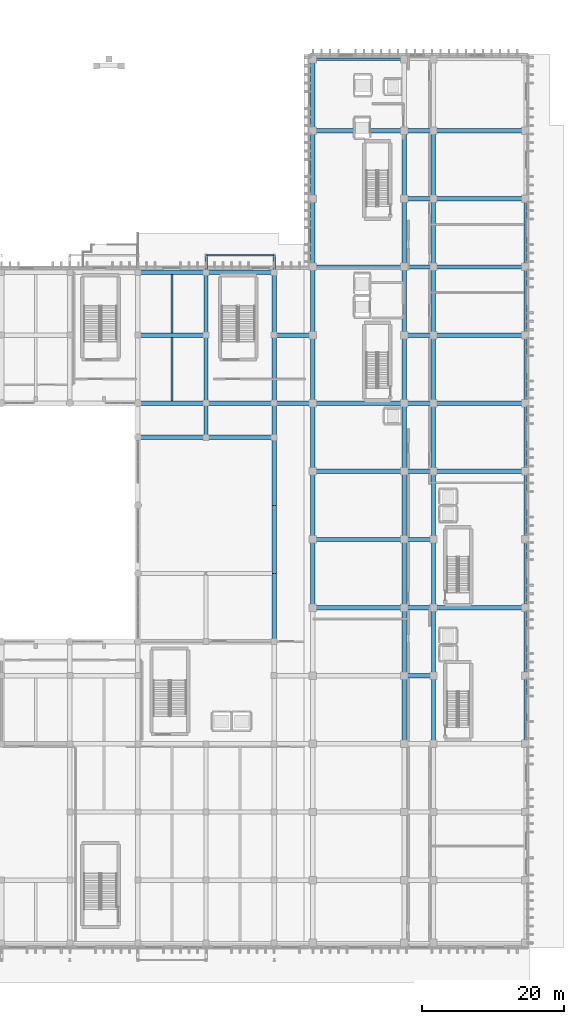
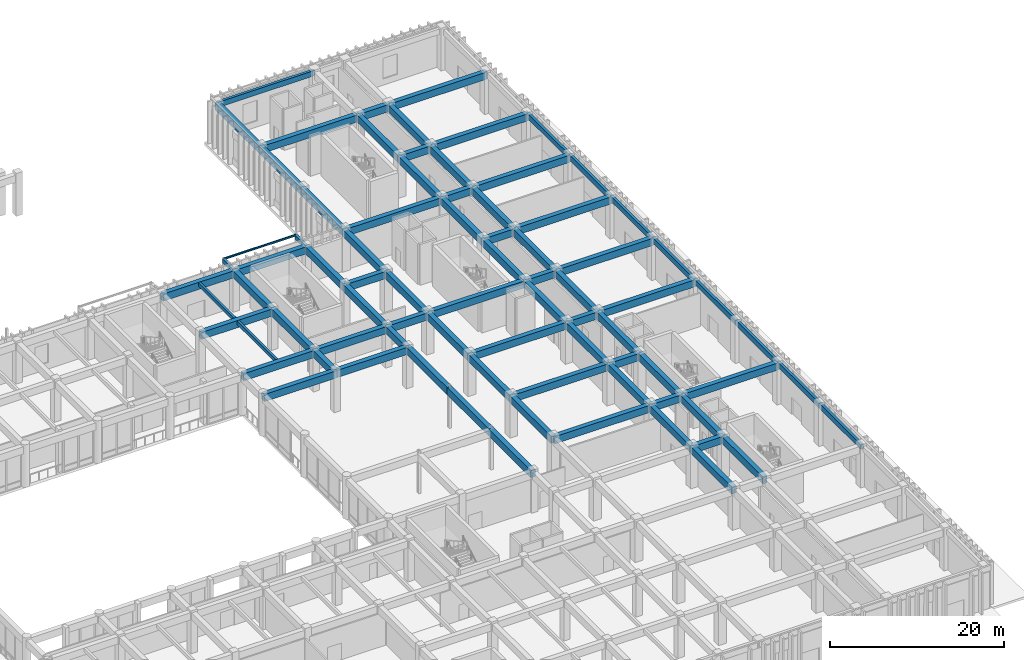
# One storey, part 36 of 87: 80 beams.
"""IFC4 building model written with IfcOpenShell, lengths in metres."""

from ifc_helpers import new_model, si_unit, direction, frame, origin, origin_2d, place, context, subcontext, project, spatial, rectangle, i_section, extrude, material, material_profile, profile_set, type_object, element, save


model = new_model("IFC4")

# Units and contexts
model_context = context("Model", 3, precision=1e-05, world=origin(), true_north=direction((0.0, 1.0)))
body_context = subcontext(model_context, "Body", "Model", "MODEL_VIEW")
ifc_project = project(units=[si_unit("LENGTHUNIT", "METRE"), si_unit("AREAUNIT", "SQUARE_METRE"), si_unit("VOLUMEUNIT", "CUBIC_METRE"), si_unit("PLANEANGLEUNIT", "RADIAN"), si_unit("MASSUNIT", "GRAM", prefix="KILO")], contexts=[model_context])

# Site, building, storey
site_placement = place(None, origin())
site = spatial("IfcSite", under=ifc_project, at=site_placement, CompositionType="ELEMENT")
building_placement = place(site_placement, origin())
building = spatial("IfcBuilding", under=site, at=building_placement, Name="Nakhvara Creek Congress Hotel", CompositionType="ELEMENT")
storey_placement = place(building_placement, origin())
storey = spatial("IfcBuildingStorey", under=building, at=storey_placement, Name="L00", CompositionType="ELEMENT", Elevation=0.0)

# Beams
ifc_material_1 = material(Name="Concrete C40/50", Category="concrete")
ifc_material_profile_1 = material_profile(ifc_material_1, rectangle(XDim=0.35009765625, YDim=0.550048828125, at=origin_2d()), Name="RC-BM 350x550", Category="LoadBearing")
ifc_profile_set_1 = profile_set([ifc_material_profile_1], Name="Concrete C40/50")
beam_type_1 = type_object("IfcBeamType", Name="BM-CANT-BOX", PredefinedType="BEAM", material=ifc_profile_set_1)
for number, where, z_axis, x_axis, name in (
    (1, (134.39990234375, 95.25, 5.425048828125), (0.0, 1.0, 0.0), (-1.0, 0.0, 0.0), "Foyer Box Outrigger Beam PBOX-L01-N3-134"),
    (2, (144.0, 95.25, 5.425048828125), (0.0, 1.0, 0.0), (-1.0, 0.0, 0.0), "Foyer Box Outrigger Beam PBOX-L01-N3-144"),
):
    element("IfcBeam", number, at=place(storey_placement, frame(where, z_axis=z_axis, x_axis=x_axis)), inside=storey, type_object=beam_type_1, Name=name, PredefinedType="BEAM", context=body_context, shape_type="SweptSolid", body=[
        extrude(rectangle(XDim=0.35009765625, YDim=0.550048828125, at=origin_2d()), origin(), (0.0, 0.0, 1.0), 2.39990234375),
    ])
ifc_material_profile_2 = material_profile(ifc_material_1, rectangle(XDim=0.300048828125, YDim=0.5, at=origin_2d()), Name="RC-BM 300x500", Category="LoadBearing")
ifc_profile_set_2 = profile_set([ifc_material_profile_2], Name="Concrete C40/50")
beam_type_2 = type_object("IfcBeamType", Name="BM-JST-300X500", PredefinedType="JOIST", material=ifc_profile_set_2)
beam_1_placement = place(storey_placement, frame((129.60009765625, 77.110107421875, 5.449951171875), z_axis=(0.0, 1.0, 0.0), x_axis=(-1.0, 0.0, 0.0)))
element("IfcBeam", 3, at=beam_1_placement, inside=storey, type_object=beam_type_2, Name="Secondary Joist BJ1-L00-1054", PredefinedType="JOIST", context=body_context, shape_type="SweptSolid", body=[
    extrude(rectangle(XDim=0.300048828125, YDim=0.5, at=origin_2d()), origin(), (0.0, 0.0, 1.0), 8.97998046875),
])
beam_2_placement = place(storey_placement, frame((129.60009765625, 86.7099609375, 5.449951171875), z_axis=(0.0, 1.0, 0.0), x_axis=(-1.0, 0.0, 0.0)))
element("IfcBeam", 4, at=beam_2_placement, inside=storey, type_object=beam_type_2, Name="Secondary Joist BJ1-L00-1055", PredefinedType="JOIST", context=body_context, shape_type="SweptSolid", body=[
    extrude(rectangle(XDim=0.300048828125, YDim=0.5, at=origin_2d()), origin(), (0.0, 0.0, 1.0), 8.22998046875),
])
ifc_material_2 = material(Name="Concrete C50/60", Category="concrete")
ifc_material_profile_3 = material_profile(ifc_material_2, rectangle(XDim=0.6201171875, YDim=1.0, at=origin_2d()), Name="RC-BM 620x1000", Category="LoadBearing")
ifc_profile_set_3 = profile_set([ifc_material_profile_3], Name="Concrete C50/60")
beam_type_3 = type_object("IfcBeamType", Name="BM-RC-620X1000", PredefinedType="BEAM", material=ifc_profile_set_3)
for number, where, z_axis, x_axis, name in (
    (5, (124.800048828125, 72.0, 5.199951171875), (1.0, 0.0, 0.0), (0.0, 1.0, 0.0), "Beam B16-L00-0897"),
    (6, (124.800048828125, 76.800048828125, 5.199951171875), (1.0, 0.0, 0.0), (0.0, 1.0, 0.0), "Beam B16-L00-0899"),
    (7, (124.800048828125, 86.39990234375, 5.199951171875), (1.0, 0.0, 0.0), (0.0, 1.0, 0.0), "Beam B16-L00-0901"),
    (8, (124.800048828125, 95.25, 5.199951171875), (1.0, 0.0, 0.0), (0.0, 1.0, 0.0), "Beam B16-L00-0902"),
):
    element("IfcBeam", number, at=place(storey_placement, frame(where, z_axis=z_axis, x_axis=x_axis)), inside=storey, type_object=beam_type_3, Name=name, PredefinedType="BEAM", context=body_context, shape_type="SweptSolid", body=[
        extrude(rectangle(XDim=0.6201171875, YDim=1.0, at=origin_2d()), origin(), (0.0, 0.0, 1.0), 9.599853515625),
    ])
beam_3_placement = place(storey_placement, frame((134.39990234375, 72.0, 5.199951171875), z_axis=(0.0, 1.0, 0.0), x_axis=(-1.0, 0.0, 0.0)))
element("IfcBeam", 9, at=beam_3_placement, inside=storey, type_object=beam_type_3, Name="Beam B16-L00-0913", PredefinedType="BEAM", context=body_context, shape_type="SweptSolid", body=[
    extrude(rectangle(XDim=0.6201171875, YDim=1.0, at=origin_2d()), origin(), (0.0, 0.0, 1.0), 4.800048828125),
])
beam_4_placement = place(storey_placement, frame((134.39990234375, 72.0, 5.199951171875), z_axis=(1.0, 0.0, 0.0), x_axis=(0.0, 1.0, 0.0)))
element("IfcBeam", 10, at=beam_4_placement, inside=storey, type_object=beam_type_3, Name="Beam B16-L00-0914", PredefinedType="BEAM", context=body_context, shape_type="SweptSolid", body=[
    extrude(rectangle(XDim=0.6201171875, YDim=1.0, at=origin_2d()), origin(), (0.0, 0.0, 1.0), 9.60009765625),
])
beam_5_placement = place(storey_placement, frame((134.39990234375, 76.800048828125, 5.199951171875), z_axis=(0.0, 1.0, 0.0), x_axis=(-1.0, 0.0, 0.0)))
element("IfcBeam", 11, at=beam_5_placement, inside=storey, type_object=beam_type_3, Name="Beam B16-L00-0915", PredefinedType="BEAM", context=body_context, shape_type="SweptSolid", body=[
    extrude(rectangle(XDim=0.6201171875, YDim=1.0, at=origin_2d()), origin(), (0.0, 0.0, 1.0), 9.599853515625),
])
beam_6_placement = place(storey_placement, frame((134.39990234375, 76.800048828125, 5.199951171875), z_axis=(1.0, 0.0, 0.0), x_axis=(0.0, 1.0, 0.0)))
element("IfcBeam", 12, at=beam_6_placement, inside=storey, type_object=beam_type_3, Name="Beam B16-L00-0916", PredefinedType="BEAM", context=body_context, shape_type="SweptSolid", body=[
    extrude(rectangle(XDim=0.6201171875, YDim=1.0, at=origin_2d()), origin(), (0.0, 0.0, 1.0), 9.60009765625),
])
beam_7_placement = place(storey_placement, frame((134.39990234375, 86.39990234375, 5.199951171875), z_axis=(0.0, 1.0, 0.0), x_axis=(-1.0, 0.0, 0.0)))
element("IfcBeam", 13, at=beam_7_placement, inside=storey, type_object=beam_type_3, Name="Beam B16-L00-0917", PredefinedType="BEAM", context=body_context, shape_type="SweptSolid", body=[
    extrude(rectangle(XDim=0.6201171875, YDim=1.0, at=origin_2d()), origin(), (0.0, 0.0, 1.0), 8.85009765625),
])
for number, where, z_axis, x_axis, name in (
    (14, (134.39990234375, 95.25, 5.199951171875), (1.0, 0.0, 0.0), (0.0, 1.0, 0.0), "Beam B16-L00-0918"),
    (15, (144.0, 43.199951171875, 5.199951171875), (0.0, 1.0, 0.0), (-1.0, 0.0, 0.0), "Beam B16-L00-0929"),
):
    element("IfcBeam", number, at=place(storey_placement, frame(where, z_axis=z_axis, x_axis=x_axis)), inside=storey, type_object=beam_type_3, Name=name, PredefinedType="BEAM", context=body_context, shape_type="SweptSolid", body=[
        extrude(rectangle(XDim=0.6201171875, YDim=1.0, at=origin_2d()), origin(), (0.0, 0.0, 1.0), 9.60009765625),
    ])
beam_8_placement = place(storey_placement, frame((144.0, 52.800048828125, 5.199951171875), z_axis=(0.0, 1.0, 0.0), x_axis=(-1.0, 0.0, 0.0)))
element("IfcBeam", 16, at=beam_8_placement, inside=storey, type_object=beam_type_3, Name="Beam B16-L00-0930", PredefinedType="BEAM", context=body_context, shape_type="SweptSolid", body=[
    extrude(rectangle(XDim=0.6201171875, YDim=1.0, at=origin_2d()), origin(), (0.0, 0.0, 1.0), 9.599853515625),
])
beam_9_placement = place(storey_placement, frame((144.0, 62.39990234375, 5.199951171875), z_axis=(0.0, 1.0, 0.0), x_axis=(-1.0, 0.0, 0.0)))
element("IfcBeam", 17, at=beam_9_placement, inside=storey, type_object=beam_type_3, Name="Beam B16-L00-0931", PredefinedType="BEAM", context=body_context, shape_type="SweptSolid", body=[
    extrude(rectangle(XDim=0.6201171875, YDim=1.0, at=origin_2d()), origin(), (0.0, 0.0, 1.0), 9.60009765625),
])
beam_10_placement = place(storey_placement, frame((144.0, 72.0, 5.199951171875), z_axis=(0.0, 1.0, 0.0), x_axis=(-1.0, 0.0, 0.0)))
element("IfcBeam", 18, at=beam_10_placement, inside=storey, type_object=beam_type_3, Name="Beam B16-L00-0932", PredefinedType="BEAM", context=body_context, shape_type="SweptSolid", body=[
    extrude(rectangle(XDim=0.6201171875, YDim=1.0, at=origin_2d()), origin(), (0.0, 0.0, 1.0), 4.800048828125),
])
beam_11_placement = place(storey_placement, frame((144.0, 76.800048828125, 5.199951171875), z_axis=(0.0, 1.0, 0.0), x_axis=(-1.0, 0.0, 0.0)))
element("IfcBeam", 19, at=beam_11_placement, inside=storey, type_object=beam_type_3, Name="Beam B16-L00-0933", PredefinedType="BEAM", context=body_context, shape_type="SweptSolid", body=[
    extrude(rectangle(XDim=0.6201171875, YDim=1.0, at=origin_2d()), origin(), (0.0, 0.0, 1.0), 9.599853515625),
])
beam_12_placement = place(storey_placement, frame((144.0, 76.800048828125, 5.199951171875), z_axis=(1.0, 0.0, 0.0), x_axis=(0.0, 1.0, 0.0)))
element("IfcBeam", 20, at=beam_12_placement, inside=storey, type_object=beam_type_3, Name="Beam B16-L00-0934", PredefinedType="BEAM", context=body_context, shape_type="SweptSolid", body=[
    extrude(rectangle(XDim=0.6201171875, YDim=1.0, at=origin_2d()), origin(), (0.0, 0.0, 1.0), 5.449951171875),
])
beam_13_placement = place(storey_placement, frame((144.0, 86.39990234375, 5.199951171875), z_axis=(0.0, 1.0, 0.0), x_axis=(-1.0, 0.0, 0.0)))
element("IfcBeam", 21, at=beam_13_placement, inside=storey, type_object=beam_type_3, Name="Beam B16-L00-0935", PredefinedType="BEAM", context=body_context, shape_type="SweptSolid", body=[
    extrude(rectangle(XDim=0.6201171875, YDim=1.0, at=origin_2d()), origin(), (0.0, 0.0, 1.0), 8.85009765625),
])
beam_14_placement = place(storey_placement, frame((144.0, 86.39990234375, 5.199951171875), z_axis=(1.0, 0.0, 0.0), x_axis=(0.0, 1.0, 0.0)))
element("IfcBeam", 22, at=beam_14_placement, inside=storey, type_object=beam_type_3, Name="Beam B16-L00-0936", PredefinedType="BEAM", context=body_context, shape_type="SweptSolid", body=[
    extrude(rectangle(XDim=0.6201171875, YDim=1.0, at=origin_2d()), origin(), (0.0, 0.0, 1.0), 5.449951171875),
])
beam_15_placement = place(storey_placement, frame((149.449951171875, 48.0, 5.199951171875), z_axis=(0.0, 1.0, 0.0), x_axis=(-1.0, 0.0, 0.0)))
element("IfcBeam", 23, at=beam_15_placement, inside=storey, type_object=beam_type_3, Name="Beam B16-L00-0947", PredefinedType="BEAM", context=body_context, shape_type="SweptSolid", body=[
    extrude(rectangle(XDim=0.6201171875, YDim=1.0, at=origin_2d()), origin(), (0.0, 0.0, 1.0), 9.60009765625),
])
beam_16_placement = place(storey_placement, frame((149.449951171875, 48.0, 5.199951171875), z_axis=(1.0, 0.0, 0.0), x_axis=(0.0, 1.0, 0.0)))
element("IfcBeam", 24, at=beam_16_placement, inside=storey, type_object=beam_type_3, Name="Beam B16-L00-0948", PredefinedType="BEAM", context=body_context, shape_type="SweptSolid", body=[
    extrude(rectangle(XDim=0.6201171875, YDim=1.0, at=origin_2d()), origin(), (0.0, 0.0, 1.0), 12.900146484375),
])
beam_17_placement = place(storey_placement, frame((149.449951171875, 57.60009765625, 5.199951171875), z_axis=(0.0, 1.0, 0.0), x_axis=(-1.0, 0.0, 0.0)))
element("IfcBeam", 25, at=beam_17_placement, inside=storey, type_object=beam_type_3, Name="Beam B16-L00-0949", PredefinedType="BEAM", context=body_context, shape_type="SweptSolid", body=[
    extrude(rectangle(XDim=0.6201171875, YDim=1.0, at=origin_2d()), origin(), (0.0, 0.0, 1.0), 9.599853515625),
])
beam_18_placement = place(storey_placement, frame((149.449951171875, 57.60009765625, 5.199951171875), z_axis=(1.0, 0.0, 0.0), x_axis=(0.0, 1.0, 0.0)))
element("IfcBeam", 26, at=beam_18_placement, inside=storey, type_object=beam_type_3, Name="Beam B16-L00-0950", PredefinedType="BEAM", context=body_context, shape_type="SweptSolid", body=[
    extrude(rectangle(XDim=0.6201171875, YDim=1.0, at=origin_2d()), origin(), (0.0, 0.0, 1.0), 12.900146484375),
])
beam_19_placement = place(storey_placement, frame((149.449951171875, 67.199951171875, 5.199951171875), z_axis=(0.0, 1.0, 0.0), x_axis=(-1.0, 0.0, 0.0)))
element("IfcBeam", 27, at=beam_19_placement, inside=storey, type_object=beam_type_3, Name="Beam B16-L00-0951", PredefinedType="BEAM", context=body_context, shape_type="SweptSolid", body=[
    extrude(rectangle(XDim=0.6201171875, YDim=1.0, at=origin_2d()), origin(), (0.0, 0.0, 1.0), 9.60009765625),
])
beam_20_placement = place(storey_placement, frame((149.449951171875, 67.199951171875, 5.199951171875), z_axis=(1.0, 0.0, 0.0), x_axis=(0.0, 1.0, 0.0)))
element("IfcBeam", 28, at=beam_20_placement, inside=storey, type_object=beam_type_3, Name="Beam B16-L00-0952", PredefinedType="BEAM", context=body_context, shape_type="SweptSolid", body=[
    extrude(rectangle(XDim=0.6201171875, YDim=1.0, at=origin_2d()), origin(), (0.0, 0.0, 1.0), 12.900146484375),
])
beam_21_placement = place(storey_placement, frame((149.449951171875, 76.800048828125, 5.199951171875), z_axis=(0.0, 1.0, 0.0), x_axis=(-1.0, 0.0, 0.0)))
element("IfcBeam", 29, at=beam_21_placement, inside=storey, type_object=beam_type_3, Name="Beam B16-L00-0953", PredefinedType="BEAM", context=body_context, shape_type="SweptSolid", body=[
    extrude(rectangle(XDim=0.6201171875, YDim=1.0, at=origin_2d()), origin(), (0.0, 0.0, 1.0), 9.599853515625),
])
beam_22_placement = place(storey_placement, frame((149.449951171875, 76.800048828125, 5.199951171875), z_axis=(1.0, 0.0, 0.0), x_axis=(0.0, 1.0, 0.0)))
element("IfcBeam", 30, at=beam_22_placement, inside=storey, type_object=beam_type_3, Name="Beam B16-L00-0954", PredefinedType="BEAM", context=body_context, shape_type="SweptSolid", body=[
    extrude(rectangle(XDim=0.6201171875, YDim=1.0, at=origin_2d()), origin(), (0.0, 0.0, 1.0), 12.900146484375),
])
for number, where, z_axis, x_axis, name in (
    (31, (149.449951171875, 86.39990234375, 5.199951171875), (0.0, 1.0, 0.0), (-1.0, 0.0, 0.0), "Beam B16-L00-0955"),
    (32, (149.449951171875, 96.0, 5.199951171875), (0.0, 1.0, 0.0), (-1.0, 0.0, 0.0), "Beam B16-L00-0956"),
):
    element("IfcBeam", number, at=place(storey_placement, frame(where, z_axis=z_axis, x_axis=x_axis)), inside=storey, type_object=beam_type_3, Name=name, PredefinedType="BEAM", context=body_context, shape_type="SweptSolid", body=[
        extrude(rectangle(XDim=0.6201171875, YDim=1.0, at=origin_2d()), origin(), (0.0, 0.0, 1.0), 9.60009765625),
    ])
beam_23_placement = place(storey_placement, frame((149.449951171875, 96.0, 5.199951171875), z_axis=(1.0, 0.0, 0.0), x_axis=(0.0, 1.0, 0.0)))
element("IfcBeam", 33, at=beam_23_placement, inside=storey, type_object=beam_type_3, Name="Beam B16-L00-0957", PredefinedType="BEAM", context=body_context, shape_type="SweptSolid", body=[
    extrude(rectangle(XDim=0.6201171875, YDim=1.0, at=origin_2d()), origin(), (0.0, 0.0, 1.0), 12.900146484375),
])
beam_24_placement = place(storey_placement, frame((149.449951171875, 105.60009765625, 5.199951171875), z_axis=(0.0, 1.0, 0.0), x_axis=(-1.0, 0.0, 0.0)))
element("IfcBeam", 34, at=beam_24_placement, inside=storey, type_object=beam_type_3, Name="Beam B16-L00-0958", PredefinedType="BEAM", context=body_context, shape_type="SweptSolid", body=[
    extrude(rectangle(XDim=0.6201171875, YDim=1.0, at=origin_2d()), origin(), (0.0, 0.0, 1.0), 9.599853515625),
])
beam_25_placement = place(storey_placement, frame((149.449951171875, 115.199951171875, 5.199951171875), z_axis=(0.0, 1.0, 0.0), x_axis=(-1.0, 0.0, 0.0)))
element("IfcBeam", 35, at=beam_25_placement, inside=storey, type_object=beam_type_3, Name="Beam B16-L00-0959", PredefinedType="BEAM", context=body_context, shape_type="SweptSolid", body=[
    extrude(rectangle(XDim=0.6201171875, YDim=1.0, at=origin_2d()), origin(), (0.0, 0.0, 1.0), 10.050048828125),
])
beam_26_placement = place(storey_placement, frame((149.449951171875, 115.199951171875, 5.199951171875), z_axis=(1.0, 0.0, 0.0), x_axis=(0.0, 1.0, 0.0)))
element("IfcBeam", 36, at=beam_26_placement, inside=storey, type_object=beam_type_3, Name="Beam B16-L00-0960", PredefinedType="BEAM", context=body_context, shape_type="SweptSolid", body=[
    extrude(rectangle(XDim=0.6201171875, YDim=1.0, at=origin_2d()), origin(), (0.0, 0.0, 1.0), 12.900146484375),
])
beam_27_placement = place(storey_placement, frame((162.35009765625, 28.800048828125, 5.199951171875), z_axis=(0.0, 1.0, 0.0), x_axis=(-1.0, 0.0, 0.0)))
element("IfcBeam", 37, at=beam_27_placement, inside=storey, type_object=beam_type_3, Name="Beam B16-L00-0968", PredefinedType="BEAM", context=body_context, shape_type="SweptSolid", body=[
    extrude(rectangle(XDim=0.6201171875, YDim=1.0, at=origin_2d()), origin(), (0.0, 0.0, 1.0), 9.599853515625),
])
beam_28_placement = place(storey_placement, frame((162.35009765625, 38.39990234375, 5.199951171875), z_axis=(0.0, 1.0, 0.0), x_axis=(-1.0, 0.0, 0.0)))
element("IfcBeam", 38, at=beam_28_placement, inside=storey, type_object=beam_type_3, Name="Beam B16-L00-0970", PredefinedType="BEAM", context=body_context, shape_type="SweptSolid", body=[
    extrude(rectangle(XDim=0.6201171875, YDim=1.0, at=origin_2d()), origin(), (0.0, 0.0, 1.0), 9.60009765625),
])
beam_29_placement = place(storey_placement, frame((162.35009765625, 38.39990234375, 5.199951171875), z_axis=(1.0, 0.0, 0.0), x_axis=(0.0, 1.0, 0.0)))
element("IfcBeam", 39, at=beam_29_placement, inside=storey, type_object=beam_type_3, Name="Beam B16-L00-0971", PredefinedType="BEAM", context=body_context, shape_type="SweptSolid", body=[
    extrude(rectangle(XDim=0.6201171875, YDim=1.0, at=origin_2d()), origin(), (0.0, 0.0, 1.0), 4.099853515625),
])
beam_30_placement = place(storey_placement, frame((162.35009765625, 48.0, 5.199951171875), z_axis=(0.0, 1.0, 0.0), x_axis=(-1.0, 0.0, 0.0)))
element("IfcBeam", 40, at=beam_30_placement, inside=storey, type_object=beam_type_3, Name="Beam B16-L00-0972", PredefinedType="BEAM", context=body_context, shape_type="SweptSolid", body=[
    extrude(rectangle(XDim=0.6201171875, YDim=1.0, at=origin_2d()), origin(), (0.0, 0.0, 1.0), 9.60009765625),
])
beam_31_placement = place(storey_placement, frame((162.35009765625, 48.0, 5.199951171875), z_axis=(1.0, 0.0, 0.0), x_axis=(0.0, 1.0, 0.0)))
element("IfcBeam", 41, at=beam_31_placement, inside=storey, type_object=beam_type_3, Name="Beam B16-L00-0973", PredefinedType="BEAM", context=body_context, shape_type="SweptSolid", body=[
    extrude(rectangle(XDim=0.6201171875, YDim=1.0, at=origin_2d()), origin(), (0.0, 0.0, 1.0), 4.099853515625),
])
beam_32_placement = place(storey_placement, frame((162.35009765625, 57.60009765625, 5.199951171875), z_axis=(0.0, 1.0, 0.0), x_axis=(-1.0, 0.0, 0.0)))
element("IfcBeam", 42, at=beam_32_placement, inside=storey, type_object=beam_type_3, Name="Beam B16-L00-0974", PredefinedType="BEAM", context=body_context, shape_type="SweptSolid", body=[
    extrude(rectangle(XDim=0.6201171875, YDim=1.0, at=origin_2d()), origin(), (0.0, 0.0, 1.0), 9.599853515625),
])
beam_33_placement = place(storey_placement, frame((162.35009765625, 57.60009765625, 5.199951171875), z_axis=(1.0, 0.0, 0.0), x_axis=(0.0, 1.0, 0.0)))
element("IfcBeam", 43, at=beam_33_placement, inside=storey, type_object=beam_type_3, Name="Beam B16-L00-0975", PredefinedType="BEAM", context=body_context, shape_type="SweptSolid", body=[
    extrude(rectangle(XDim=0.6201171875, YDim=1.0, at=origin_2d()), origin(), (0.0, 0.0, 1.0), 4.099853515625),
])
beam_34_placement = place(storey_placement, frame((162.35009765625, 67.199951171875, 5.199951171875), z_axis=(0.0, 1.0, 0.0), x_axis=(-1.0, 0.0, 0.0)))
element("IfcBeam", 44, at=beam_34_placement, inside=storey, type_object=beam_type_3, Name="Beam B16-L00-0976", PredefinedType="BEAM", context=body_context, shape_type="SweptSolid", body=[
    extrude(rectangle(XDim=0.6201171875, YDim=1.0, at=origin_2d()), origin(), (0.0, 0.0, 1.0), 9.60009765625),
])
beam_35_placement = place(storey_placement, frame((162.35009765625, 67.199951171875, 5.199951171875), z_axis=(1.0, 0.0, 0.0), x_axis=(0.0, 1.0, 0.0)))
element("IfcBeam", 45, at=beam_35_placement, inside=storey, type_object=beam_type_3, Name="Beam B16-L00-0977", PredefinedType="BEAM", context=body_context, shape_type="SweptSolid", body=[
    extrude(rectangle(XDim=0.6201171875, YDim=1.0, at=origin_2d()), origin(), (0.0, 0.0, 1.0), 4.099853515625),
])
beam_36_placement = place(storey_placement, frame((162.35009765625, 76.800048828125, 5.199951171875), z_axis=(0.0, 1.0, 0.0), x_axis=(-1.0, 0.0, 0.0)))
element("IfcBeam", 46, at=beam_36_placement, inside=storey, type_object=beam_type_3, Name="Beam B16-L00-0978", PredefinedType="BEAM", context=body_context, shape_type="SweptSolid", body=[
    extrude(rectangle(XDim=0.6201171875, YDim=1.0, at=origin_2d()), origin(), (0.0, 0.0, 1.0), 9.599853515625),
])
beam_37_placement = place(storey_placement, frame((162.35009765625, 76.800048828125, 5.199951171875), z_axis=(1.0, 0.0, 0.0), x_axis=(0.0, 1.0, 0.0)))
element("IfcBeam", 47, at=beam_37_placement, inside=storey, type_object=beam_type_3, Name="Beam B16-L00-0979", PredefinedType="BEAM", context=body_context, shape_type="SweptSolid", body=[
    extrude(rectangle(XDim=0.6201171875, YDim=1.0, at=origin_2d()), origin(), (0.0, 0.0, 1.0), 4.099853515625),
])
beam_38_placement = place(storey_placement, frame((162.35009765625, 86.39990234375, 5.199951171875), z_axis=(0.0, 1.0, 0.0), x_axis=(-1.0, 0.0, 0.0)))
element("IfcBeam", 48, at=beam_38_placement, inside=storey, type_object=beam_type_3, Name="Beam B16-L00-0980", PredefinedType="BEAM", context=body_context, shape_type="SweptSolid", body=[
    extrude(rectangle(XDim=0.6201171875, YDim=1.0, at=origin_2d()), origin(), (0.0, 0.0, 1.0), 9.60009765625),
])
beam_39_placement = place(storey_placement, frame((162.35009765625, 86.39990234375, 5.199951171875), z_axis=(1.0, 0.0, 0.0), x_axis=(0.0, 1.0, 0.0)))
element("IfcBeam", 49, at=beam_39_placement, inside=storey, type_object=beam_type_3, Name="Beam B16-L00-0981", PredefinedType="BEAM", context=body_context, shape_type="SweptSolid", body=[
    extrude(rectangle(XDim=0.6201171875, YDim=1.0, at=origin_2d()), origin(), (0.0, 0.0, 1.0), 4.099853515625),
])
beam_40_placement = place(storey_placement, frame((162.35009765625, 96.0, 5.199951171875), z_axis=(0.0, 1.0, 0.0), x_axis=(-1.0, 0.0, 0.0)))
element("IfcBeam", 50, at=beam_40_placement, inside=storey, type_object=beam_type_3, Name="Beam B16-L00-0982", PredefinedType="BEAM", context=body_context, shape_type="SweptSolid", body=[
    extrude(rectangle(XDim=0.6201171875, YDim=1.0, at=origin_2d()), origin(), (0.0, 0.0, 1.0), 9.60009765625),
])
beam_41_placement = place(storey_placement, frame((162.35009765625, 96.0, 5.199951171875), z_axis=(1.0, 0.0, 0.0), x_axis=(0.0, 1.0, 0.0)))
element("IfcBeam", 51, at=beam_41_placement, inside=storey, type_object=beam_type_3, Name="Beam B16-L00-0983", PredefinedType="BEAM", context=body_context, shape_type="SweptSolid", body=[
    extrude(rectangle(XDim=0.6201171875, YDim=1.0, at=origin_2d()), origin(), (0.0, 0.0, 1.0), 4.099853515625),
])
beam_42_placement = place(storey_placement, frame((162.35009765625, 105.60009765625, 5.199951171875), z_axis=(0.0, 1.0, 0.0), x_axis=(-1.0, 0.0, 0.0)))
element("IfcBeam", 52, at=beam_42_placement, inside=storey, type_object=beam_type_3, Name="Beam B16-L00-0984", PredefinedType="BEAM", context=body_context, shape_type="SweptSolid", body=[
    extrude(rectangle(XDim=0.6201171875, YDim=1.0, at=origin_2d()), origin(), (0.0, 0.0, 1.0), 9.599853515625),
])
for number, where, z_axis, x_axis, name in (
    (53, (162.35009765625, 105.60009765625, 5.199951171875), (1.0, 0.0, 0.0), (0.0, 1.0, 0.0), "Beam B16-L00-0985"),
    (54, (162.35009765625, 115.199951171875, 5.199951171875), (1.0, 0.0, 0.0), (0.0, 1.0, 0.0), "Beam B16-L00-0987"),
):
    element("IfcBeam", number, at=place(storey_placement, frame(where, z_axis=z_axis, x_axis=x_axis)), inside=storey, type_object=beam_type_3, Name=name, PredefinedType="BEAM", context=body_context, shape_type="SweptSolid", body=[
        extrude(rectangle(XDim=0.6201171875, YDim=1.0, at=origin_2d()), origin(), (0.0, 0.0, 1.0), 4.099853515625),
    ])
beam_43_placement = place(storey_placement, frame((166.449951171875, 28.800048828125, 5.199951171875), z_axis=(0.0, 1.0, 0.0), x_axis=(-1.0, 0.0, 0.0)))
element("IfcBeam", 55, at=beam_43_placement, inside=storey, type_object=beam_type_3, Name="Beam B16-L00-0995", PredefinedType="BEAM", context=body_context, shape_type="SweptSolid", body=[
    extrude(rectangle(XDim=0.6201171875, YDim=1.0, at=origin_2d()), origin(), (0.0, 0.0, 1.0), 9.599853515625),
])
for number, where, z_axis, x_axis, name in (
    (56, (166.449951171875, 38.39990234375, 5.199951171875), (0.0, 1.0, 0.0), (-1.0, 0.0, 0.0), "Beam B16-L00-0997"),
    (57, (166.449951171875, 48.0, 5.199951171875), (0.0, 1.0, 0.0), (-1.0, 0.0, 0.0), "Beam B16-L00-0998"),
):
    element("IfcBeam", number, at=place(storey_placement, frame(where, z_axis=z_axis, x_axis=x_axis)), inside=storey, type_object=beam_type_3, Name=name, PredefinedType="BEAM", context=body_context, shape_type="SweptSolid", body=[
        extrude(rectangle(XDim=0.6201171875, YDim=1.0, at=origin_2d()), origin(), (0.0, 0.0, 1.0), 9.60009765625),
    ])
beam_44_placement = place(storey_placement, frame((166.449951171875, 48.0, 5.199951171875), z_axis=(1.0, 0.0, 0.0), x_axis=(0.0, 1.0, 0.0)))
element("IfcBeam", 58, at=beam_44_placement, inside=storey, type_object=beam_type_3, Name="Beam B16-L00-0999", PredefinedType="BEAM", context=body_context, shape_type="SweptSolid", body=[
    extrude(rectangle(XDim=0.6201171875, YDim=1.0, at=origin_2d()), origin(), (0.0, 0.0, 1.0), 12.900146484375),
])
beam_45_placement = place(storey_placement, frame((166.449951171875, 57.60009765625, 5.199951171875), z_axis=(0.0, 1.0, 0.0), x_axis=(-1.0, 0.0, 0.0)))
element("IfcBeam", 59, at=beam_45_placement, inside=storey, type_object=beam_type_3, Name="Beam B16-L00-1000", PredefinedType="BEAM", context=body_context, shape_type="SweptSolid", body=[
    extrude(rectangle(XDim=0.6201171875, YDim=1.0, at=origin_2d()), origin(), (0.0, 0.0, 1.0), 9.599853515625),
])
beam_46_placement = place(storey_placement, frame((166.449951171875, 67.199951171875, 5.199951171875), z_axis=(0.0, 1.0, 0.0), x_axis=(-1.0, 0.0, 0.0)))
element("IfcBeam", 60, at=beam_46_placement, inside=storey, type_object=beam_type_3, Name="Beam B16-L00-1001", PredefinedType="BEAM", context=body_context, shape_type="SweptSolid", body=[
    extrude(rectangle(XDim=0.6201171875, YDim=1.0, at=origin_2d()), origin(), (0.0, 0.0, 1.0), 9.60009765625),
])
beam_47_placement = place(storey_placement, frame((166.449951171875, 67.199951171875, 5.199951171875), z_axis=(1.0, 0.0, 0.0), x_axis=(0.0, 1.0, 0.0)))
element("IfcBeam", 61, at=beam_47_placement, inside=storey, type_object=beam_type_3, Name="Beam B16-L00-1002", PredefinedType="BEAM", context=body_context, shape_type="SweptSolid", body=[
    extrude(rectangle(XDim=0.6201171875, YDim=1.0, at=origin_2d()), origin(), (0.0, 0.0, 1.0), 12.900146484375),
])
beam_48_placement = place(storey_placement, frame((166.449951171875, 76.800048828125, 5.199951171875), z_axis=(0.0, 1.0, 0.0), x_axis=(-1.0, 0.0, 0.0)))
element("IfcBeam", 62, at=beam_48_placement, inside=storey, type_object=beam_type_3, Name="Beam B16-L00-1003", PredefinedType="BEAM", context=body_context, shape_type="SweptSolid", body=[
    extrude(rectangle(XDim=0.6201171875, YDim=1.0, at=origin_2d()), origin(), (0.0, 0.0, 1.0), 9.599853515625),
])
beam_49_placement = place(storey_placement, frame((166.449951171875, 76.800048828125, 5.199951171875), z_axis=(1.0, 0.0, 0.0), x_axis=(0.0, 1.0, 0.0)))
element("IfcBeam", 63, at=beam_49_placement, inside=storey, type_object=beam_type_3, Name="Beam B16-L00-1004", PredefinedType="BEAM", context=body_context, shape_type="SweptSolid", body=[
    extrude(rectangle(XDim=0.6201171875, YDim=1.0, at=origin_2d()), origin(), (0.0, 0.0, 1.0), 12.900146484375),
])
beam_50_placement = place(storey_placement, frame((166.449951171875, 86.39990234375, 5.199951171875), z_axis=(0.0, 1.0, 0.0), x_axis=(-1.0, 0.0, 0.0)))
element("IfcBeam", 64, at=beam_50_placement, inside=storey, type_object=beam_type_3, Name="Beam B16-L00-1005", PredefinedType="BEAM", context=body_context, shape_type="SweptSolid", body=[
    extrude(rectangle(XDim=0.6201171875, YDim=1.0, at=origin_2d()), origin(), (0.0, 0.0, 1.0), 9.60009765625),
])
beam_51_placement = place(storey_placement, frame((166.449951171875, 86.39990234375, 5.199951171875), z_axis=(1.0, 0.0, 0.0), x_axis=(0.0, 1.0, 0.0)))
element("IfcBeam", 65, at=beam_51_placement, inside=storey, type_object=beam_type_3, Name="Beam B16-L00-1006", PredefinedType="BEAM", context=body_context, shape_type="SweptSolid", body=[
    extrude(rectangle(XDim=0.6201171875, YDim=1.0, at=origin_2d()), origin(), (0.0, 0.0, 1.0), 12.900146484375),
])
beam_52_placement = place(storey_placement, frame((166.449951171875, 96.0, 5.199951171875), z_axis=(0.0, 1.0, 0.0), x_axis=(-1.0, 0.0, 0.0)))
element("IfcBeam", 66, at=beam_52_placement, inside=storey, type_object=beam_type_3, Name="Beam B16-L00-1007", PredefinedType="BEAM", context=body_context, shape_type="SweptSolid", body=[
    extrude(rectangle(XDim=0.6201171875, YDim=1.0, at=origin_2d()), origin(), (0.0, 0.0, 1.0), 9.60009765625),
])
beam_53_placement = place(storey_placement, frame((166.449951171875, 96.0, 5.199951171875), z_axis=(1.0, 0.0, 0.0), x_axis=(0.0, 1.0, 0.0)))
element("IfcBeam", 67, at=beam_53_placement, inside=storey, type_object=beam_type_3, Name="Beam B16-L00-1008", PredefinedType="BEAM", context=body_context, shape_type="SweptSolid", body=[
    extrude(rectangle(XDim=0.6201171875, YDim=1.0, at=origin_2d()), origin(), (0.0, 0.0, 1.0), 12.900146484375),
])
beam_54_placement = place(storey_placement, frame((166.449951171875, 105.60009765625, 5.199951171875), z_axis=(0.0, 1.0, 0.0), x_axis=(-1.0, 0.0, 0.0)))
element("IfcBeam", 68, at=beam_54_placement, inside=storey, type_object=beam_type_3, Name="Beam B16-L00-1009", PredefinedType="BEAM", context=body_context, shape_type="SweptSolid", body=[
    extrude(rectangle(XDim=0.6201171875, YDim=1.0, at=origin_2d()), origin(), (0.0, 0.0, 1.0), 9.599853515625),
])
for number, where, z_axis, x_axis, name in (
    (69, (166.449951171875, 105.60009765625, 5.199951171875), (1.0, 0.0, 0.0), (0.0, 1.0, 0.0), "Beam B16-L00-1010"),
    (70, (166.449951171875, 115.199951171875, 5.199951171875), (1.0, 0.0, 0.0), (0.0, 1.0, 0.0), "Beam B16-L00-1012"),
):
    element("IfcBeam", number, at=place(storey_placement, frame(where, z_axis=z_axis, x_axis=x_axis)), inside=storey, type_object=beam_type_3, Name=name, PredefinedType="BEAM", context=body_context, shape_type="SweptSolid", body=[
        extrude(rectangle(XDim=0.6201171875, YDim=1.0, at=origin_2d()), origin(), (0.0, 0.0, 1.0), 12.900146484375),
    ])
ifc_material_profile_4 = material_profile(ifc_material_1, rectangle(XDim=0.35009765625, YDim=0.75, at=origin_2d()), Name="RC-SPANDREL 350x750", Category="LoadBearing")
ifc_profile_set_4 = profile_set([ifc_material_profile_4], Name="Concrete C40/50")
beam_type_4 = type_object("IfcBeamType", Name="BM-SPN-350X750", PredefinedType="SPANDREL", material=ifc_profile_set_4)
beam_55_placement = place(storey_placement, frame((149.449951171875, 125.25, 5.324951171875), z_axis=(1.0, 0.0, 0.0), x_axis=(0.0, 1.0, 0.0)))
element("IfcBeam", 71, at=beam_55_placement, inside=storey, type_object=beam_type_4, Name="Beam SP1-L00-0961", PredefinedType="SPANDREL", context=body_context, shape_type="SweptSolid", body=[
    extrude(rectangle(XDim=0.35009765625, YDim=0.75, at=origin_2d()), origin(), (0.0, 0.0, 1.0), 12.900146484375),
])
beam_56_placement = place(storey_placement, frame((179.35009765625, 28.800048828125, 5.324951171875), z_axis=(0.0, 1.0, 0.0), x_axis=(-1.0, 0.0, 0.0)))
element("IfcBeam", 72, at=beam_56_placement, inside=storey, type_object=beam_type_4, Name="Beam SP1-L00-1017", PredefinedType="SPANDREL", context=body_context, shape_type="SweptSolid", body=[
    extrude(rectangle(XDim=0.35009765625, YDim=0.75, at=origin_2d()), origin(), (0.0, 0.0, 1.0), 9.599853515625),
])
for number, where, z_axis, x_axis, name in (
    (73, (179.35009765625, 38.39990234375, 5.324951171875), (0.0, 1.0, 0.0), (-1.0, 0.0, 0.0), "Beam SP1-L00-1018"),
    (74, (179.35009765625, 48.0, 5.324951171875), (0.0, 1.0, 0.0), (-1.0, 0.0, 0.0), "Beam SP1-L00-1019"),
):
    element("IfcBeam", number, at=place(storey_placement, frame(where, z_axis=z_axis, x_axis=x_axis)), inside=storey, type_object=beam_type_4, Name=name, PredefinedType="SPANDREL", context=body_context, shape_type="SweptSolid", body=[
        extrude(rectangle(XDim=0.35009765625, YDim=0.75, at=origin_2d()), origin(), (0.0, 0.0, 1.0), 9.60009765625),
    ])
beam_57_placement = place(storey_placement, frame((179.35009765625, 57.60009765625, 5.324951171875), z_axis=(0.0, 1.0, 0.0), x_axis=(-1.0, 0.0, 0.0)))
element("IfcBeam", 75, at=beam_57_placement, inside=storey, type_object=beam_type_4, Name="Beam SP1-L00-1020", PredefinedType="SPANDREL", context=body_context, shape_type="SweptSolid", body=[
    extrude(rectangle(XDim=0.35009765625, YDim=0.75, at=origin_2d()), origin(), (0.0, 0.0, 1.0), 9.599853515625),
])
beam_58_placement = place(storey_placement, frame((179.35009765625, 67.199951171875, 5.324951171875), z_axis=(0.0, 1.0, 0.0), x_axis=(-1.0, 0.0, 0.0)))
element("IfcBeam", 76, at=beam_58_placement, inside=storey, type_object=beam_type_4, Name="Beam SP1-L00-1021", PredefinedType="SPANDREL", context=body_context, shape_type="SweptSolid", body=[
    extrude(rectangle(XDim=0.35009765625, YDim=0.75, at=origin_2d()), origin(), (0.0, 0.0, 1.0), 9.60009765625),
])
beam_59_placement = place(storey_placement, frame((179.35009765625, 76.800048828125, 5.324951171875), z_axis=(0.0, 1.0, 0.0), x_axis=(-1.0, 0.0, 0.0)))
element("IfcBeam", 77, at=beam_59_placement, inside=storey, type_object=beam_type_4, Name="Beam SP1-L00-1022", PredefinedType="SPANDREL", context=body_context, shape_type="SweptSolid", body=[
    extrude(rectangle(XDim=0.35009765625, YDim=0.75, at=origin_2d()), origin(), (0.0, 0.0, 1.0), 9.599853515625),
])
for number, where, z_axis, x_axis, name in (
    (78, (179.35009765625, 86.39990234375, 5.324951171875), (0.0, 1.0, 0.0), (-1.0, 0.0, 0.0), "Beam SP1-L00-1023"),
    (79, (179.35009765625, 96.0, 5.324951171875), (0.0, 1.0, 0.0), (-1.0, 0.0, 0.0), "Beam SP1-L00-1024"),
):
    element("IfcBeam", number, at=place(storey_placement, frame(where, z_axis=z_axis, x_axis=x_axis)), inside=storey, type_object=beam_type_4, Name=name, PredefinedType="SPANDREL", context=body_context, shape_type="SweptSolid", body=[
        extrude(rectangle(XDim=0.35009765625, YDim=0.75, at=origin_2d()), origin(), (0.0, 0.0, 1.0), 9.60009765625),
    ])
ifc_material_3 = material(Name="Steel S355J2", Category="steel")
ifc_material_profile_5 = material_profile(ifc_material_3, i_section(OverallWidth=0.14599609375, OverallDepth=0.25146484375, WebThickness=0.006103515625, FlangeThickness=0.008544921875, FilletRadius=0.007568359375, at=origin_2d()), Name="UB 254x146x31", Category="LoadBearing")
ifc_profile_set_5 = profile_set([ifc_material_profile_5], Name="Steel S355J2")
beam_type_5 = type_object("IfcBeamType", Name="BM-ST-UB254", PredefinedType="SPANDREL", material=ifc_profile_set_5)
beam_60_placement = place(storey_placement, frame((134.39990234375, 97.64990234375, 5.654296875), z_axis=(1.0, 0.0, 0.0), x_axis=(0.0, 1.0, 0.0)))
element("IfcBeam", 80, at=beam_60_placement, inside=storey, type_object=beam_type_5, Name="Foyer Box Edge Spandrel PBOX-L01-N3", PredefinedType="SPANDREL", context=body_context, shape_type="SweptSolid", body=[
    extrude(i_section(OverallWidth=0.14599609375, OverallDepth=0.25146484375, WebThickness=0.006103515625, FlangeThickness=0.008544921875, FilletRadius=0.007568359375, at=origin_2d()), origin(), (0.0, 0.0, 1.0), 9.60009765625),
])

save(model, "model.ifc")
